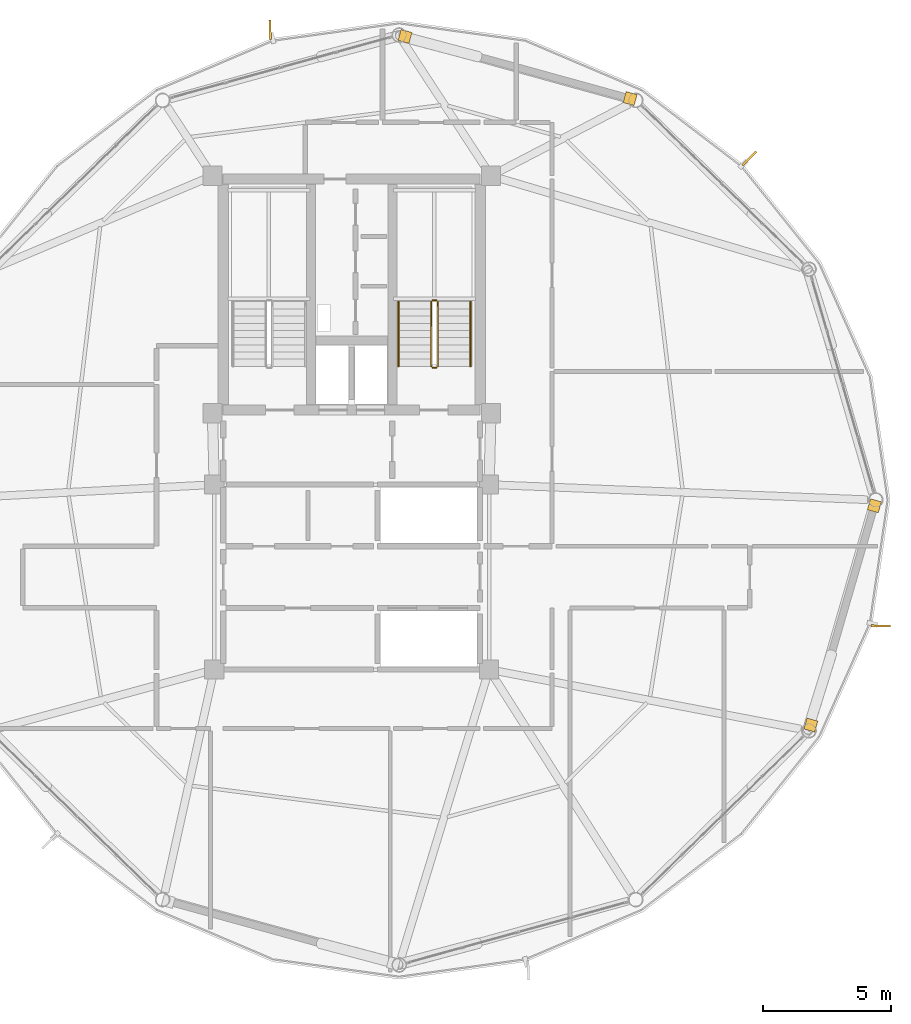
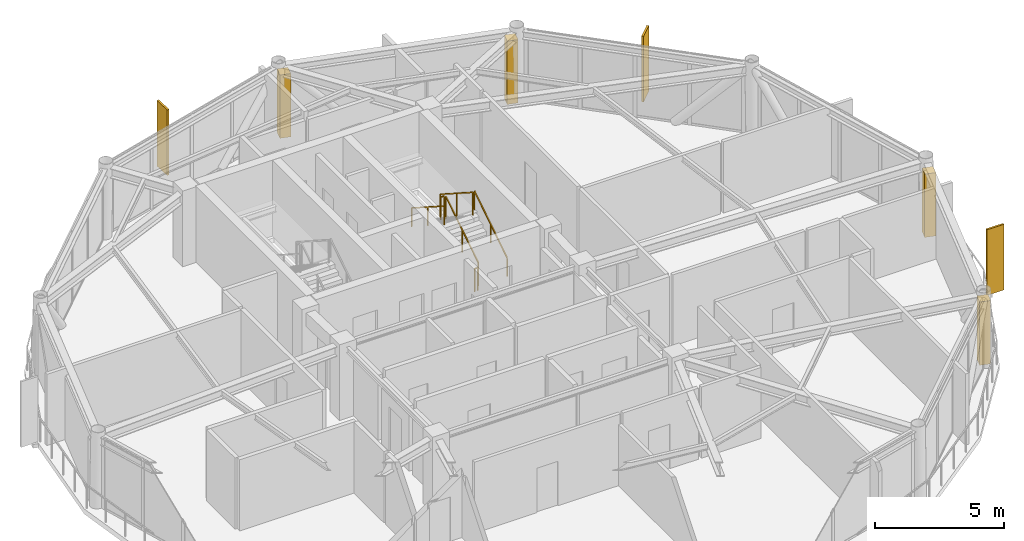
# One storey, part 27 of 27: 6 railings, 4 coverings, 3 shading devices.
"""IFC4 building model written with IfcOpenShell, lengths in metres."""

from ifc_helpers import new_model, si_unit, direction, frame, origin, origin_2d, place, context, subcontext, project, spatial, rectangle, extrude, source, transform, mapped, material, layer, layer_set, type_object, type_shapes, element, save


model = new_model("IFC4")

# Units and contexts
model_context = context("Model", 3, precision=1e-05, world=origin(), true_north=direction((0.0, 1.0)))
body_context = subcontext(model_context, "Body", "Model", "MODEL_VIEW")
ifc_project = project(units=[si_unit("LENGTHUNIT", "METRE"), si_unit("AREAUNIT", "SQUARE_METRE"), si_unit("VOLUMEUNIT", "CUBIC_METRE"), si_unit("PLANEANGLEUNIT", "RADIAN"), si_unit("MASSUNIT", "GRAM", prefix="KILO")], contexts=[model_context])

# Site, building, storey
site_placement = place(None, origin())
site = spatial("IfcSite", under=ifc_project, at=site_placement, CompositionType="ELEMENT")
building_placement = place(site_placement, origin())
building = spatial("IfcBuilding", under=site, at=building_placement, Name="Varnakorn Sky Granary", CompositionType="ELEMENT")
storey_placement = place(building_placement, frame((0.0, 0.0, 245.39990234375)))
storey = spatial("IfcBuildingStorey", under=building, at=storey_placement, Name="L62", CompositionType="ELEMENT", Elevation=245.39990234375)

# Railings
ifc_material_1 = material(Name="Brushed Stainless Steel 316", Category="steel")
railing_type_1 = type_object("IfcRailingType", Name="RL-STAIR-1100", PredefinedType="GUARDRAIL", material=ifc_material_1)
railing_1_placement = place(storey_placement, frame((6.35009765625, 5.199951171875, 0.18017578125)))
element("IfcRailing", 1, at=railing_1_placement, inside=storey, type_object=railing_type_1, Name="L62 ST-2 stair guard 1", PredefinedType="GUARDRAIL", context=body_context, shape_type="SweptSolid", body=[
    extrude(rectangle(XDim=0.048095703125, YDim=0.048095703125, at=origin_2d()), frame((0.0, 0.0, 1.076171875), z_axis=(0.0, 0.841199657755, 0.540724639528), x_axis=(-1.0, 0.0, 0.0)), (0.0, 0.0, 1.0), 2.995849609375),
    extrude(rectangle(XDim=0.0419921875, YDim=0.0419921875, at=origin_2d()), origin(), (0.0, 0.0, 1.0), 1.048095703125),
    extrude(rectangle(XDim=0.0419921875, YDim=0.0419921875, at=origin_2d()), frame((0.0, 1.260009765625, 0.81005859375)), (0.0, 0.0, 1.0), 1.048095703125),
    extrude(rectangle(XDim=0.0419921875, YDim=0.0419921875, at=origin_2d()), frame((0.0, 2.52001953125, 1.619873046875)), (0.0, 0.0, 1.0), 1.048095703125),
])
railing_2_placement = place(storey_placement, frame((6.300048828125, 7.77001953125, 1.800048828125)))
element("IfcRailing", 2, at=railing_2_placement, inside=storey, type_object=railing_type_1, Name="L62 ST-2 stair guard 2", PredefinedType="GUARDRAIL", context=body_context, shape_type="SweptSolid", body=[
    extrude(rectangle(XDim=0.048095703125, YDim=0.048095703125, at=origin_2d()), frame((0.0, 0.0, 1.076171875), z_axis=(-1.0, 0.0, 0.0), x_axis=(0.0, -1.0, 0.0)), (0.0, 0.0, 1.0), 0.150146484375),
    extrude(rectangle(XDim=0.0419921875, YDim=0.0419921875, at=origin_2d()), origin(), (0.0, 0.0, 1.0), 1.048095703125),
    extrude(rectangle(XDim=0.0419921875, YDim=0.0419921875, at=origin_2d()), frame((-0.150146484375, 0.0, 0.0)), (0.0, 0.0, 1.0), 1.048095703125),
])
railing_3_placement = place(storey_placement, frame((6.10009765625, 7.719970703125, 1.97998046875)))
element("IfcRailing", 3, at=railing_3_placement, inside=storey, type_object=railing_type_1, Name="L62 ST-2 stair guard 3", PredefinedType="GUARDRAIL", context=body_context, shape_type="SweptSolid", body=[
    extrude(rectangle(XDim=0.048095703125, YDim=0.048095703125, at=origin_2d()), frame((0.0, 0.0, 1.076171875), z_axis=(0.0, -0.841162588446, 0.540782303519), x_axis=(1.0, 0.0, 0.0)), (0.0, 0.0, 1.0), 2.995849609375),
    extrude(rectangle(XDim=0.0419921875, YDim=0.0419921875, at=origin_2d()), origin(), (0.0, 0.0, 1.0), 1.048095703125),
    extrude(rectangle(XDim=0.0419921875, YDim=0.0419921875, at=origin_2d()), frame((0.0, -1.260009765625, 0.81005859375)), (0.0, 0.0, 1.0), 1.048095703125),
    extrude(rectangle(XDim=0.0419921875, YDim=0.0419921875, at=origin_2d()), frame((0.0, -2.52001953125, 1.6201171875)), (0.0, 0.0, 1.0), 1.048095703125),
])
railing_4_placement = place(storey_placement, frame((6.300048828125, 5.14990234375, 0.0)))
element("IfcRailing", 4, at=railing_4_placement, inside=storey, type_object=railing_type_1, Name="L62 ST-2 stair guard 4", PredefinedType="GUARDRAIL", context=body_context, shape_type="SweptSolid", body=[
    extrude(rectangle(XDim=0.048095703125, YDim=0.048095703125, at=origin_2d()), frame((0.0, 0.0, 1.076171875), z_axis=(-1.0, 0.0, 0.0), x_axis=(0.0, -1.0, 0.0)), (0.0, 0.0, 1.0), 0.150146484375),
    extrude(rectangle(XDim=0.0419921875, YDim=0.0419921875, at=origin_2d()), origin(), (0.0, 0.0, 1.0), 1.048095703125),
    extrude(rectangle(XDim=0.0419921875, YDim=0.0419921875, at=origin_2d()), frame((-0.150146484375, 0.0, 0.0)), (0.0, 0.0, 1.0), 1.048095703125),
])
railing_type_2 = type_object("IfcRailingType", Name="RL-STAIR-920", PredefinedType="HANDRAIL", material=ifc_material_1)
railing_5_placement = place(storey_placement, frame((7.6298828125, 5.199951171875, 0.18017578125)))
element("IfcRailing", 5, at=railing_5_placement, inside=storey, type_object=railing_type_2, Name="L62 ST-2 stair handrail 1", PredefinedType="HANDRAIL", context=body_context, shape_type="SweptSolid", body=[
    extrude(rectangle(XDim=0.048095703125, YDim=0.048095703125, at=origin_2d()), frame((0.0, 0.0, 0.8759765625), z_axis=(0.0, 0.841199657755, 0.540724639528), x_axis=(-1.0, 0.0, 0.0)), (0.0, 0.0, 1.0), 2.995849609375),
    extrude(rectangle(XDim=0.0419921875, YDim=0.0419921875, at=origin_2d()), origin(), (0.0, 0.0, 1.0), 0.847900390625),
    extrude(rectangle(XDim=0.0419921875, YDim=0.0419921875, at=origin_2d()), frame((0.0, 1.260009765625, 0.81005859375)), (0.0, 0.0, 1.0), 0.847900390625),
    extrude(rectangle(XDim=0.0419921875, YDim=0.0419921875, at=origin_2d()), frame((0.0, 2.52001953125, 1.619873046875)), (0.0, 0.0, 1.0), 0.847900390625),
])
railing_6_placement = place(storey_placement, frame((4.820068359375, 7.719970703125, 1.97998046875)))
element("IfcRailing", 6, at=railing_6_placement, inside=storey, type_object=railing_type_2, Name="L62 ST-2 stair handrail 2", PredefinedType="HANDRAIL", context=body_context, shape_type="SweptSolid", body=[
    extrude(rectangle(XDim=0.048095703125, YDim=0.048095703125, at=origin_2d()), frame((0.0, 0.0, 0.8759765625), z_axis=(0.0, -0.841162588446, 0.540782303519), x_axis=(1.0, 0.0, 0.0)), (0.0, 0.0, 1.0), 2.995849609375),
    extrude(rectangle(XDim=0.0419921875, YDim=0.0419921875, at=origin_2d()), origin(), (0.0, 0.0, 1.0), 0.847900390625),
    extrude(rectangle(XDim=0.0419921875, YDim=0.0419921875, at=origin_2d()), frame((0.0, -1.260009765625, 0.81005859375)), (0.0, 0.0, 1.0), 0.847900390625),
    extrude(rectangle(XDim=0.0419921875, YDim=0.0419921875, at=origin_2d()), frame((0.0, -2.52001953125, 1.6201171875)), (0.0, 0.0, 1.0), 0.847900390625),
])

# Coverings
ifc_material_2 = material(Name="Anodised Bronze Aluminium Alloy 6063-T6", Category="aluminium")
ifc_layer = layer(ifc_material_2, 0.050048828125, Name="Anodised Bronze Aluminium Alloy 6063-T6")
ifc_layer_set = layer_set([ifc_layer], Name="Anodised Bronze Aluminium Alloy 6063-T6")
covering_type = type_object("IfcCoveringType", Name="CV-CLAD-50", PredefinedType="CLADDING", material=ifc_layer_set)
shared_shape_1 = source(origin(), body_context, "Body", "SweptSolid", [
    extrude(rectangle(XDim=0.43994140625, YDim=0.43994140625, at=origin_2d()), origin(), (0.0, 0.0, 1.0), 2.989990234375),
])
type_shapes(covering_type, [shared_shape_1])
for number, where, z_axis, x_axis, name in (
    (7, (5.076171875, 18.043701171875, -0.02001953125), (0.0, 0.0, 1.0), (0.963956227226, -0.266060880235, 0.0), "Bronze Corner Pilaster Closure L62-P03-A"),
    (8, (13.837890625, 15.625732421875, -0.02001953125), (0.0, 0.0, 1.0), (0.963956227226, -0.266060880235, 0.0), "Bronze Corner Pilaster Closure L62-P03-B"),
    (9, (23.34765625, -0.22509765625, -0.02001953125), (0.0, 0.0, 1.0), (-0.278320626641, -0.960488224179, 0.0), "Bronze Corner Pilaster Closure L62-P12-A"),
    (10, (20.87451171875, -8.76025390625, -0.02001953125), (0.0, 0.0, 1.0), (-0.278320626641, -0.960488224179, 0.0), "Bronze Corner Pilaster Closure L62-P12-B"),
):
    element("IfcCovering", number, at=place(storey_placement, frame(where, z_axis=z_axis, x_axis=x_axis)), inside=storey, type_object=covering_type, Name=name, PredefinedType="CLADDING", context=body_context, shape_type="MappedRepresentation", body=[
        mapped(shared_shape_1, transform((0.0, 0.0, 0.0), x_axis=(1.0, 0.0, 0.0), y_axis=(0.0, 1.0, 0.0), z_axis=(0.0, 0.0, 1.0), scale=1.0)),
    ])

# Shading devices
shading_device_type = type_object("IfcShadingDeviceType", Name="SH-FIN-03", PredefinedType="USERDEFINED", material=ifc_material_2)
shared_shape_2 = source(origin(), body_context, "Body", "SweptSolid", [
    extrude(rectangle(XDim=0.0849609375, YDim=0.760009765625, at=origin_2d()), origin(), (0.0, 0.0, 1.0), 3.10009765625),
])
type_shapes(shading_device_type, [shared_shape_2])
for number, where, z_axis, x_axis, name in (
    (11, (18.48193359375, 13.30078125, -0.0400390625), (0.0, 0.0, 1.0), (-0.703258302307, 0.710934427522, 0.0), "Bronze Solar-Tracking Vertical Blade FIN L62-02"),
    (12, (-0.17578125, 18.304443359375, -0.0400390625), (0.0, 0.0, 1.0), (-0.999611679614, -0.027865569768, 0.0), "Bronze Solar-Tracking Vertical Blade FIN L62-04"),
    (13, (23.597412109375, -4.902099609375, -0.0400390625), (0.0, 0.0, 1.0), (0.01224886832, 0.999924979798, 0.0), "Bronze Solar-Tracking Vertical Blade FIN L62-12"),
):
    element("IfcShadingDevice", number, at=place(storey_placement, frame(where, z_axis=z_axis, x_axis=x_axis)), inside=storey, type_object=shading_device_type, Name=name, ObjectType="FIN", PredefinedType="USERDEFINED", context=body_context, shape_type="MappedRepresentation", body=[
        mapped(shared_shape_2, transform((0.0, 0.0, 0.0), x_axis=(1.0, 0.0, 0.0), y_axis=(0.0, 1.0, 0.0), z_axis=(0.0, 0.0, 1.0), scale=1.0)),
    ])

save(model, "model.ifc")
